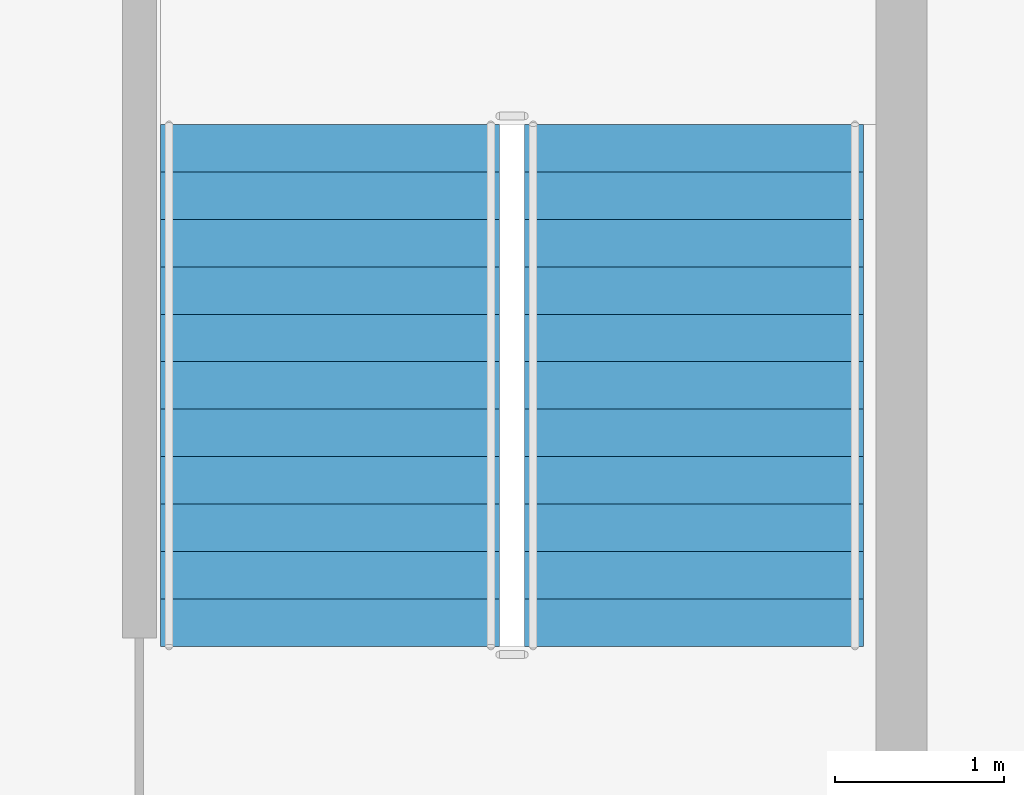
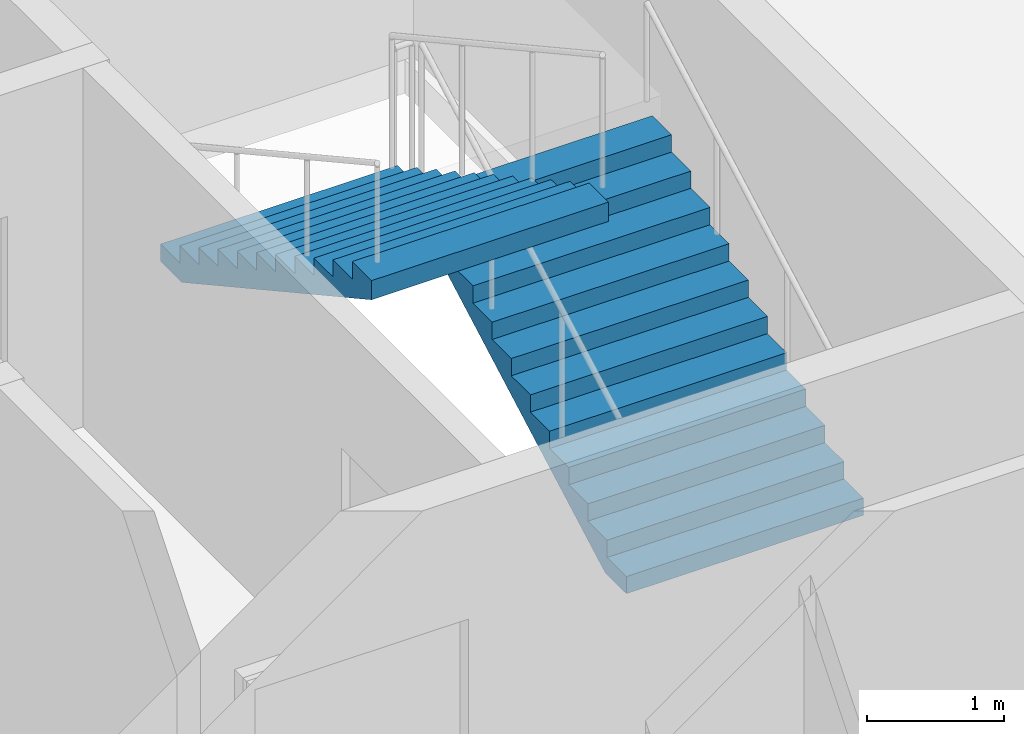
# One storey, part 8 of 11: 2 stair flights, 1 element without a shape of its own.
"""IFC4 building model written with IfcOpenShell, lengths in metres."""

from ifc_helpers import new_model, si_unit, direction, frame, origin, place, context, subcontext, project, spatial, polygons, material, type_object, element, aggregate, save


model = new_model("IFC4")

# Units and contexts
model_context = context("Model", 3, precision=1e-05, world=origin(), true_north=direction((0.0, 1.0)))
body_context = subcontext(model_context, "Body", "Model", "MODEL_VIEW")
ifc_project = project(units=[si_unit("LENGTHUNIT", "METRE"), si_unit("AREAUNIT", "SQUARE_METRE"), si_unit("VOLUMEUNIT", "CUBIC_METRE"), si_unit("PLANEANGLEUNIT", "RADIAN"), si_unit("MASSUNIT", "GRAM", prefix="KILO")], contexts=[model_context])

# Site, building, storey
site_placement = place(None, origin())
site = spatial("IfcSite", under=ifc_project, at=site_placement, CompositionType="ELEMENT")
building_placement = place(site_placement, origin())
building = spatial("IfcBuilding", under=site, at=building_placement, Name="Caravel Reach Hotel and Residences", CompositionType="ELEMENT")
storey_placement = place(building_placement, frame((0.0, 0.0, 301.89990234375)))
storey = spatial("IfcBuildingStorey", under=building, at=storey_placement, Name="L77", CompositionType="ELEMENT", Elevation=301.89990234375)

# Stair, stair flights
ifc_material_1 = material(Name="Concrete C40", Category="concrete")
stair_type = type_object("IfcStairType", Name="Core stair", PredefinedType="HALF_TURN_STAIR", material=ifc_material_1)
stair_placement = place(storey_placement, origin())
stair = element("IfcStair", 1, at=stair_placement, inside=storey, type_object=stair_type, Name="L77 Exit stair B", PredefinedType="HALF_TURN_STAIR")
ifc_material_2 = material(Name="Concrete C40", Category="concrete")
stair_flight_type = type_object("IfcStairFlightType", Name="Core stair flight", PredefinedType="STRAIGHT", material=ifc_material_2)
stair_flight_1_placement = place(storey_placement, frame((43.77490234375, 24.64990234375, 0.0), z_axis=(0.0, 0.0, 1.0), x_axis=(0.0, 1.0, 0.0)))
stair_flight_1 = element("IfcStairFlight", 2, at=stair_flight_1_placement, type_object=stair_flight_type, Name="ST-B flight 1", NumberOfRisers=12, NumberOfTreads=11, PredefinedType="STRAIGHT", RiserHeight=0.154166667, TreadLength=0.28, context=body_context, shape_type="Tessellation", body=[
    polygons([(0.3107950034306102, 1.0, 0.0), (0.3107950034306102, 0.6666666666666667, 0.0), (0.3107950034306102, 0.33333333333333337, 0.0), (0.3107950034306102, 0.0, 0.0), (0.3107950034306102, -0.33333333333333326, 0.0), (0.3107950034306102, -0.6666666666666667, 0.0), (0.3107950034306102, -1.0, 0.0), (3.081, 1.0, 1.524711087717319), (3.081, 0.6666666666666667, 1.524711087717319), (3.081, 0.33333333333333337, 1.524711087717319), (3.081, 0.0, 1.524711087717319), (3.081, -0.33333333333333326, 1.524711087717319), (3.081, -0.6666666666666667, 1.524711087717319), (3.081, -1.0, 1.524711087717319), (3.081, 1.0, 1.695833337), (3.081, 0.6666666666666667, 1.695833337), (3.081, 0.33333333333333337, 1.695833337), (3.081, 0.0, 1.695833337), (3.081, -0.33333333333333326, 1.695833337), (3.081, -0.6666666666666667, 1.695833337), (3.081, -1.0, 1.695833337), (2.8000000000000003, 1.0, 1.695833337), (2.8000000000000003, 0.6666666666666667, 1.695833337), (2.8000000000000003, 0.33333333333333337, 1.695833337), (2.8000000000000003, 0.0, 1.695833337), (2.8000000000000003, -0.33333333333333326, 1.695833337), (2.8000000000000003, -0.6666666666666667, 1.695833337), (2.8000000000000003, -1.0, 1.695833337), (2.8000000000000003, 1.0, 1.5416666700000001), (2.8000000000000003, 0.6666666666666667, 1.5416666700000001), (2.8000000000000003, 0.33333333333333337, 1.5416666700000001), (2.8000000000000003, 0.0, 1.5416666700000001), (2.8000000000000003, -0.33333333333333326, 1.5416666700000001), (2.8000000000000003, -0.6666666666666667, 1.5416666700000001), (2.8000000000000003, -1.0, 1.5416666700000001), (2.5200000000000005, 1.0, 1.5416666700000001), (2.5200000000000005, 0.6666666666666667, 1.5416666700000001), (2.5200000000000005, 0.33333333333333337, 1.5416666700000001), (2.5200000000000005, 0.0, 1.5416666700000001), (2.5200000000000005, -0.33333333333333326, 1.5416666700000001), (2.5200000000000005, -0.6666666666666667, 1.5416666700000001), (2.5200000000000005, -1.0, 1.5416666700000001), (2.5200000000000005, 1.0, 1.387500003), (2.5200000000000005, 0.6666666666666667, 1.387500003), (2.5200000000000005, 0.33333333333333337, 1.387500003), (2.5200000000000005, 0.0, 1.387500003), (2.5200000000000005, -0.33333333333333326, 1.387500003), (2.5200000000000005, -0.6666666666666667, 1.387500003), (2.5200000000000005, -1.0, 1.387500003), (2.24, 1.0, 1.387500003), (2.24, 0.6666666666666667, 1.387500003), (2.24, 0.33333333333333337, 1.387500003), (2.24, 0.0, 1.387500003), (2.24, -0.33333333333333326, 1.387500003), (2.24, -0.6666666666666667, 1.387500003), (2.24, -1.0, 1.387500003), (2.24, 1.0, 1.233333336), (2.24, 0.6666666666666667, 1.233333336), (2.24, 0.33333333333333337, 1.233333336), (2.24, 0.0, 1.233333336), (2.24, -0.33333333333333326, 1.233333336), (2.24, -0.6666666666666667, 1.233333336), (2.24, -1.0, 1.233333336), (1.9600000000000002, 1.0, 1.233333336), (1.9600000000000002, 0.6666666666666667, 1.233333336), (1.9600000000000002, 0.33333333333333337, 1.233333336), (1.9600000000000002, 0.0, 1.233333336), (1.9600000000000002, -0.33333333333333326, 1.233333336), (1.9600000000000002, -0.6666666666666667, 1.233333336), (1.9600000000000002, -1.0, 1.233333336), (1.9600000000000002, 1.0, 1.0791666690000001), (1.9600000000000002, 0.6666666666666667, 1.0791666690000001), (1.9600000000000002, 0.33333333333333337, 1.0791666690000001), (1.9600000000000002, 0.0, 1.0791666690000001), (1.9600000000000002, -0.33333333333333326, 1.0791666690000001), (1.9600000000000002, -0.6666666666666667, 1.0791666690000001), (1.9600000000000002, -1.0, 1.0791666690000001), (1.6800000000000002, 1.0, 1.0791666690000001), (1.6800000000000002, 0.6666666666666667, 1.0791666690000001), (1.6800000000000002, 0.33333333333333337, 1.0791666690000001), (1.6800000000000002, 0.0, 1.0791666690000001), (1.6800000000000002, -0.33333333333333326, 1.0791666690000001), (1.6800000000000002, -0.6666666666666667, 1.0791666690000001), (1.6800000000000002, -1.0, 1.0791666690000001), (1.6800000000000002, 1.0, 0.925000002), (1.6800000000000002, 0.6666666666666667, 0.925000002), (1.6800000000000002, 0.33333333333333337, 0.925000002), (1.6800000000000002, 0.0, 0.925000002), (1.6800000000000002, -0.33333333333333326, 0.925000002), (1.6800000000000002, -0.6666666666666667, 0.925000002), (1.6800000000000002, -1.0, 0.925000002), (1.4000000000000001, 1.0, 0.925000002), (1.4000000000000001, 0.6666666666666667, 0.925000002), (1.4000000000000001, 0.33333333333333337, 0.925000002), (1.4000000000000001, 0.0, 0.925000002), (1.4000000000000001, -0.33333333333333326, 0.925000002), (1.4000000000000001, -0.6666666666666667, 0.925000002), (1.4000000000000001, -1.0, 0.925000002), (1.4000000000000001, 1.0, 0.7708333350000001), (1.4000000000000001, 0.6666666666666667, 0.7708333350000001), (1.4000000000000001, 0.33333333333333337, 0.7708333350000001), (1.4000000000000001, 0.0, 0.7708333350000001), (1.4000000000000001, -0.33333333333333326, 0.7708333350000001), (1.4000000000000001, -0.6666666666666667, 0.7708333350000001), (1.4000000000000001, -1.0, 0.7708333350000001), (1.12, 1.0, 0.7708333350000001), (1.12, 0.6666666666666667, 0.7708333350000001), (1.12, 0.33333333333333337, 0.7708333350000001), (1.12, 0.0, 0.7708333350000001), (1.12, -0.33333333333333326, 0.7708333350000001), (1.12, -0.6666666666666667, 0.7708333350000001), (1.12, -1.0, 0.7708333350000001), (1.12, 1.0, 0.616666668), (1.12, 0.6666666666666667, 0.616666668), (1.12, 0.33333333333333337, 0.616666668), (1.12, 0.0, 0.616666668), (1.12, -0.33333333333333326, 0.616666668), (1.12, -0.6666666666666667, 0.616666668), (1.12, -1.0, 0.616666668), (0.8400000000000001, 1.0, 0.616666668), (0.8400000000000001, 0.6666666666666667, 0.616666668), (0.8400000000000001, 0.33333333333333337, 0.616666668), (0.8400000000000001, 0.0, 0.616666668), (0.8400000000000001, -0.33333333333333326, 0.616666668), (0.8400000000000001, -0.6666666666666667, 0.616666668), (0.8400000000000001, -1.0, 0.616666668), (0.8400000000000001, 1.0, 0.462500001), (0.8400000000000001, 0.6666666666666667, 0.462500001), (0.8400000000000001, 0.33333333333333337, 0.462500001), (0.8400000000000001, 0.0, 0.462500001), (0.8400000000000001, -0.33333333333333326, 0.462500001), (0.8400000000000001, -0.6666666666666667, 0.462500001), (0.8400000000000001, -1.0, 0.462500001), (0.56, 1.0, 0.462500001), (0.56, 0.6666666666666667, 0.462500001), (0.56, 0.33333333333333337, 0.462500001), (0.56, 0.0, 0.462500001), (0.56, -0.33333333333333326, 0.462500001), (0.56, -0.6666666666666667, 0.462500001), (0.56, -1.0, 0.462500001), (0.56, 1.0, 0.308333334), (0.56, 0.6666666666666667, 0.308333334), (0.56, 0.33333333333333337, 0.308333334), (0.56, 0.0, 0.308333334), (0.56, -0.33333333333333326, 0.308333334), (0.56, -0.6666666666666667, 0.308333334), (0.56, -1.0, 0.308333334), (0.28, 1.0, 0.308333334), (0.28, 0.6666666666666667, 0.308333334), (0.28, 0.33333333333333337, 0.308333334), (0.28, 0.0, 0.308333334), (0.28, -0.33333333333333326, 0.308333334), (0.28, -0.6666666666666667, 0.308333334), (0.28, -1.0, 0.308333334), (0.28, 1.0, 0.154166667), (0.28, 0.6666666666666667, 0.154166667), (0.28, 0.33333333333333337, 0.154166667), (0.28, 0.0, 0.154166667), (0.28, -0.33333333333333326, 0.154166667), (0.28, -0.6666666666666667, 0.154166667), (0.28, -1.0, 0.154166667), (-0.001, 1.0, 0.154166667), (-0.001, 0.6666666666666667, 0.154166667), (-0.001, 0.33333333333333337, 0.154166667), (-0.001, 0.0, 0.154166667), (-0.001, -0.33333333333333326, 0.154166667), (-0.001, -0.6666666666666667, 0.154166667), (-0.001, -1.0, 0.154166667), (-0.001, 1.0, 0.0), (-0.001, 0.6666666666666667, 0.0), (-0.001, 0.33333333333333337, 0.0), (-0.001, 0.0, 0.0), (-0.001, -0.33333333333333326, 0.0), (-0.001, -0.6666666666666667, 0.0), (-0.001, -1.0, 0.0)], [[[169, 162, 155, 148, 141, 134, 127, 120, 113, 106, 99, 92, 85, 78, 71, 64, 57, 50, 43, 36, 29, 22, 15, 8, 1]], [[7, 14, 21, 28, 35, 42, 49, 56, 63, 70, 77, 84, 91, 98, 105, 112, 119, 126, 133, 140, 147, 154, 161, 168, 175]], [[1, 8, 9, 2]], [[2, 9, 10, 3]], [[3, 10, 11, 4]], [[4, 11, 12, 5]], [[5, 12, 13, 6]], [[6, 13, 14, 7]], [[8, 15, 16, 9]], [[9, 16, 17, 10]], [[10, 17, 18, 11]], [[11, 18, 19, 12]], [[12, 19, 20, 13]], [[13, 20, 21, 14]], [[15, 22, 23, 16]], [[16, 23, 24, 17]], [[17, 24, 25, 18]], [[18, 25, 26, 19]], [[19, 26, 27, 20]], [[20, 27, 28, 21]], [[22, 29, 30, 23]], [[23, 30, 31, 24]], [[24, 31, 32, 25]], [[25, 32, 33, 26]], [[26, 33, 34, 27]], [[27, 34, 35, 28]], [[29, 36, 37, 30]], [[30, 37, 38, 31]], [[31, 38, 39, 32]], [[32, 39, 40, 33]], [[33, 40, 41, 34]], [[34, 41, 42, 35]], [[36, 43, 44, 37]], [[37, 44, 45, 38]], [[38, 45, 46, 39]], [[39, 46, 47, 40]], [[40, 47, 48, 41]], [[41, 48, 49, 42]], [[43, 50, 51, 44]], [[44, 51, 52, 45]], [[45, 52, 53, 46]], [[46, 53, 54, 47]], [[47, 54, 55, 48]], [[48, 55, 56, 49]], [[50, 57, 58, 51]], [[51, 58, 59, 52]], [[52, 59, 60, 53]], [[53, 60, 61, 54]], [[54, 61, 62, 55]], [[55, 62, 63, 56]], [[57, 64, 65, 58]], [[58, 65, 66, 59]], [[59, 66, 67, 60]], [[60, 67, 68, 61]], [[61, 68, 69, 62]], [[62, 69, 70, 63]], [[64, 71, 72, 65]], [[65, 72, 73, 66]], [[66, 73, 74, 67]], [[67, 74, 75, 68]], [[68, 75, 76, 69]], [[69, 76, 77, 70]], [[71, 78, 79, 72]], [[72, 79, 80, 73]], [[73, 80, 81, 74]], [[74, 81, 82, 75]], [[75, 82, 83, 76]], [[76, 83, 84, 77]], [[78, 85, 86, 79]], [[79, 86, 87, 80]], [[80, 87, 88, 81]], [[81, 88, 89, 82]], [[82, 89, 90, 83]], [[83, 90, 91, 84]], [[85, 92, 93, 86]], [[86, 93, 94, 87]], [[87, 94, 95, 88]], [[88, 95, 96, 89]], [[89, 96, 97, 90]], [[90, 97, 98, 91]], [[92, 99, 100, 93]], [[93, 100, 101, 94]], [[94, 101, 102, 95]], [[95, 102, 103, 96]], [[96, 103, 104, 97]], [[97, 104, 105, 98]], [[99, 106, 107, 100]], [[100, 107, 108, 101]], [[101, 108, 109, 102]], [[102, 109, 110, 103]], [[103, 110, 111, 104]], [[104, 111, 112, 105]], [[106, 113, 114, 107]], [[107, 114, 115, 108]], [[108, 115, 116, 109]], [[109, 116, 117, 110]], [[110, 117, 118, 111]], [[111, 118, 119, 112]], [[113, 120, 121, 114]], [[114, 121, 122, 115]], [[115, 122, 123, 116]], [[116, 123, 124, 117]], [[117, 124, 125, 118]], [[118, 125, 126, 119]], [[120, 127, 128, 121]], [[121, 128, 129, 122]], [[122, 129, 130, 123]], [[123, 130, 131, 124]], [[124, 131, 132, 125]], [[125, 132, 133, 126]], [[127, 134, 135, 128]], [[128, 135, 136, 129]], [[129, 136, 137, 130]], [[130, 137, 138, 131]], [[131, 138, 139, 132]], [[132, 139, 140, 133]], [[134, 141, 142, 135]], [[135, 142, 143, 136]], [[136, 143, 144, 137]], [[137, 144, 145, 138]], [[138, 145, 146, 139]], [[139, 146, 147, 140]], [[141, 148, 149, 142]], [[142, 149, 150, 143]], [[143, 150, 151, 144]], [[144, 151, 152, 145]], [[145, 152, 153, 146]], [[146, 153, 154, 147]], [[148, 155, 156, 149]], [[149, 156, 157, 150]], [[150, 157, 158, 151]], [[151, 158, 159, 152]], [[152, 159, 160, 153]], [[153, 160, 161, 154]], [[155, 162, 163, 156]], [[156, 163, 164, 157]], [[157, 164, 165, 158]], [[158, 165, 166, 159]], [[159, 166, 167, 160]], [[160, 167, 168, 161]], [[162, 169, 170, 163]], [[163, 170, 171, 164]], [[164, 171, 172, 165]], [[165, 172, 173, 166]], [[166, 173, 174, 167]], [[167, 174, 175, 168]], [[169, 1, 2, 170]], [[170, 2, 3, 171]], [[171, 3, 4, 172]], [[172, 4, 5, 173]], [[173, 5, 6, 174]], [[174, 6, 7, 175]]], closed=True),
])
stair_flight_2_placement = place(storey_placement, frame((41.625, 27.72998046875, 1.85009765625), z_axis=(0.0, 0.0, 1.0), x_axis=(0.0, -1.0, 0.0)))
stair_flight_2 = element("IfcStairFlight", 3, at=stair_flight_2_placement, type_object=stair_flight_type, Name="ST-B flight 2", NumberOfRisers=12, NumberOfTreads=11, PredefinedType="STRAIGHT", RiserHeight=0.154166667, TreadLength=0.28, context=body_context, shape_type="Tessellation", body=[
    polygons([(0.3107950034306102, 1.0, 0.0), (0.3107950034306102, 0.6666666666666667, 0.0), (0.3107950034306102, 0.33333333333333337, 0.0), (0.3107950034306102, 0.0, 0.0), (0.3107950034306102, -0.33333333333333326, 0.0), (0.3107950034306102, -0.6666666666666667, 0.0), (0.3107950034306102, -1.0, 0.0), (3.081, 1.0, 1.524711087717319), (3.081, 0.6666666666666667, 1.524711087717319), (3.081, 0.33333333333333337, 1.524711087717319), (3.081, 0.0, 1.524711087717319), (3.081, -0.33333333333333326, 1.524711087717319), (3.081, -0.6666666666666667, 1.524711087717319), (3.081, -1.0, 1.524711087717319), (3.081, 1.0, 1.695833337), (3.081, 0.6666666666666667, 1.695833337), (3.081, 0.33333333333333337, 1.695833337), (3.081, 0.0, 1.695833337), (3.081, -0.33333333333333326, 1.695833337), (3.081, -0.6666666666666667, 1.695833337), (3.081, -1.0, 1.695833337), (2.8000000000000003, 1.0, 1.695833337), (2.8000000000000003, 0.6666666666666667, 1.695833337), (2.8000000000000003, 0.33333333333333337, 1.695833337), (2.8000000000000003, 0.0, 1.695833337), (2.8000000000000003, -0.33333333333333326, 1.695833337), (2.8000000000000003, -0.6666666666666667, 1.695833337), (2.8000000000000003, -1.0, 1.695833337), (2.8000000000000003, 1.0, 1.5416666700000001), (2.8000000000000003, 0.6666666666666667, 1.5416666700000001), (2.8000000000000003, 0.33333333333333337, 1.5416666700000001), (2.8000000000000003, 0.0, 1.5416666700000001), (2.8000000000000003, -0.33333333333333326, 1.5416666700000001), (2.8000000000000003, -0.6666666666666667, 1.5416666700000001), (2.8000000000000003, -1.0, 1.5416666700000001), (2.5200000000000005, 1.0, 1.5416666700000001), (2.5200000000000005, 0.6666666666666667, 1.5416666700000001), (2.5200000000000005, 0.33333333333333337, 1.5416666700000001), (2.5200000000000005, 0.0, 1.5416666700000001), (2.5200000000000005, -0.33333333333333326, 1.5416666700000001), (2.5200000000000005, -0.6666666666666667, 1.5416666700000001), (2.5200000000000005, -1.0, 1.5416666700000001), (2.5200000000000005, 1.0, 1.387500003), (2.5200000000000005, 0.6666666666666667, 1.387500003), (2.5200000000000005, 0.33333333333333337, 1.387500003), (2.5200000000000005, 0.0, 1.387500003), (2.5200000000000005, -0.33333333333333326, 1.387500003), (2.5200000000000005, -0.6666666666666667, 1.387500003), (2.5200000000000005, -1.0, 1.387500003), (2.24, 1.0, 1.387500003), (2.24, 0.6666666666666667, 1.387500003), (2.24, 0.33333333333333337, 1.387500003), (2.24, 0.0, 1.387500003), (2.24, -0.33333333333333326, 1.387500003), (2.24, -0.6666666666666667, 1.387500003), (2.24, -1.0, 1.387500003), (2.24, 1.0, 1.233333336), (2.24, 0.6666666666666667, 1.233333336), (2.24, 0.33333333333333337, 1.233333336), (2.24, 0.0, 1.233333336), (2.24, -0.33333333333333326, 1.233333336), (2.24, -0.6666666666666667, 1.233333336), (2.24, -1.0, 1.233333336), (1.9600000000000002, 1.0, 1.233333336), (1.9600000000000002, 0.6666666666666667, 1.233333336), (1.9600000000000002, 0.33333333333333337, 1.233333336), (1.9600000000000002, 0.0, 1.233333336), (1.9600000000000002, -0.33333333333333326, 1.233333336), (1.9600000000000002, -0.6666666666666667, 1.233333336), (1.9600000000000002, -1.0, 1.233333336), (1.9600000000000002, 1.0, 1.0791666690000001), (1.9600000000000002, 0.6666666666666667, 1.0791666690000001), (1.9600000000000002, 0.33333333333333337, 1.0791666690000001), (1.9600000000000002, 0.0, 1.0791666690000001), (1.9600000000000002, -0.33333333333333326, 1.0791666690000001), (1.9600000000000002, -0.6666666666666667, 1.0791666690000001), (1.9600000000000002, -1.0, 1.0791666690000001), (1.6800000000000002, 1.0, 1.0791666690000001), (1.6800000000000002, 0.6666666666666667, 1.0791666690000001), (1.6800000000000002, 0.33333333333333337, 1.0791666690000001), (1.6800000000000002, 0.0, 1.0791666690000001), (1.6800000000000002, -0.33333333333333326, 1.0791666690000001), (1.6800000000000002, -0.6666666666666667, 1.0791666690000001), (1.6800000000000002, -1.0, 1.0791666690000001), (1.6800000000000002, 1.0, 0.925000002), (1.6800000000000002, 0.6666666666666667, 0.925000002), (1.6800000000000002, 0.33333333333333337, 0.925000002), (1.6800000000000002, 0.0, 0.925000002), (1.6800000000000002, -0.33333333333333326, 0.925000002), (1.6800000000000002, -0.6666666666666667, 0.925000002), (1.6800000000000002, -1.0, 0.925000002), (1.4000000000000001, 1.0, 0.925000002), (1.4000000000000001, 0.6666666666666667, 0.925000002), (1.4000000000000001, 0.33333333333333337, 0.925000002), (1.4000000000000001, 0.0, 0.925000002), (1.4000000000000001, -0.33333333333333326, 0.925000002), (1.4000000000000001, -0.6666666666666667, 0.925000002), (1.4000000000000001, -1.0, 0.925000002), (1.4000000000000001, 1.0, 0.7708333350000001), (1.4000000000000001, 0.6666666666666667, 0.7708333350000001), (1.4000000000000001, 0.33333333333333337, 0.7708333350000001), (1.4000000000000001, 0.0, 0.7708333350000001), (1.4000000000000001, -0.33333333333333326, 0.7708333350000001), (1.4000000000000001, -0.6666666666666667, 0.7708333350000001), (1.4000000000000001, -1.0, 0.7708333350000001), (1.12, 1.0, 0.7708333350000001), (1.12, 0.6666666666666667, 0.7708333350000001), (1.12, 0.33333333333333337, 0.7708333350000001), (1.12, 0.0, 0.7708333350000001), (1.12, -0.33333333333333326, 0.7708333350000001), (1.12, -0.6666666666666667, 0.7708333350000001), (1.12, -1.0, 0.7708333350000001), (1.12, 1.0, 0.616666668), (1.12, 0.6666666666666667, 0.616666668), (1.12, 0.33333333333333337, 0.616666668), (1.12, 0.0, 0.616666668), (1.12, -0.33333333333333326, 0.616666668), (1.12, -0.6666666666666667, 0.616666668), (1.12, -1.0, 0.616666668), (0.8400000000000001, 1.0, 0.616666668), (0.8400000000000001, 0.6666666666666667, 0.616666668), (0.8400000000000001, 0.33333333333333337, 0.616666668), (0.8400000000000001, 0.0, 0.616666668), (0.8400000000000001, -0.33333333333333326, 0.616666668), (0.8400000000000001, -0.6666666666666667, 0.616666668), (0.8400000000000001, -1.0, 0.616666668), (0.8400000000000001, 1.0, 0.462500001), (0.8400000000000001, 0.6666666666666667, 0.462500001), (0.8400000000000001, 0.33333333333333337, 0.462500001), (0.8400000000000001, 0.0, 0.462500001), (0.8400000000000001, -0.33333333333333326, 0.462500001), (0.8400000000000001, -0.6666666666666667, 0.462500001), (0.8400000000000001, -1.0, 0.462500001), (0.56, 1.0, 0.462500001), (0.56, 0.6666666666666667, 0.462500001), (0.56, 0.33333333333333337, 0.462500001), (0.56, 0.0, 0.462500001), (0.56, -0.33333333333333326, 0.462500001), (0.56, -0.6666666666666667, 0.462500001), (0.56, -1.0, 0.462500001), (0.56, 1.0, 0.308333334), (0.56, 0.6666666666666667, 0.308333334), (0.56, 0.33333333333333337, 0.308333334), (0.56, 0.0, 0.308333334), (0.56, -0.33333333333333326, 0.308333334), (0.56, -0.6666666666666667, 0.308333334), (0.56, -1.0, 0.308333334), (0.28, 1.0, 0.308333334), (0.28, 0.6666666666666667, 0.308333334), (0.28, 0.33333333333333337, 0.308333334), (0.28, 0.0, 0.308333334), (0.28, -0.33333333333333326, 0.308333334), (0.28, -0.6666666666666667, 0.308333334), (0.28, -1.0, 0.308333334), (0.28, 1.0, 0.154166667), (0.28, 0.6666666666666667, 0.154166667), (0.28, 0.33333333333333337, 0.154166667), (0.28, 0.0, 0.154166667), (0.28, -0.33333333333333326, 0.154166667), (0.28, -0.6666666666666667, 0.154166667), (0.28, -1.0, 0.154166667), (-0.001, 1.0, 0.154166667), (-0.001, 0.6666666666666667, 0.154166667), (-0.001, 0.33333333333333337, 0.154166667), (-0.001, 0.0, 0.154166667), (-0.001, -0.33333333333333326, 0.154166667), (-0.001, -0.6666666666666667, 0.154166667), (-0.001, -1.0, 0.154166667), (-0.001, 1.0, 0.0), (-0.001, 0.6666666666666667, 0.0), (-0.001, 0.33333333333333337, 0.0), (-0.001, 0.0, 0.0), (-0.001, -0.33333333333333326, 0.0), (-0.001, -0.6666666666666667, 0.0), (-0.001, -1.0, 0.0)], [[[169, 162, 155, 148, 141, 134, 127, 120, 113, 106, 99, 92, 85, 78, 71, 64, 57, 50, 43, 36, 29, 22, 15, 8, 1]], [[7, 14, 21, 28, 35, 42, 49, 56, 63, 70, 77, 84, 91, 98, 105, 112, 119, 126, 133, 140, 147, 154, 161, 168, 175]], [[1, 8, 9, 2]], [[2, 9, 10, 3]], [[3, 10, 11, 4]], [[4, 11, 12, 5]], [[5, 12, 13, 6]], [[6, 13, 14, 7]], [[8, 15, 16, 9]], [[9, 16, 17, 10]], [[10, 17, 18, 11]], [[11, 18, 19, 12]], [[12, 19, 20, 13]], [[13, 20, 21, 14]], [[15, 22, 23, 16]], [[16, 23, 24, 17]], [[17, 24, 25, 18]], [[18, 25, 26, 19]], [[19, 26, 27, 20]], [[20, 27, 28, 21]], [[22, 29, 30, 23]], [[23, 30, 31, 24]], [[24, 31, 32, 25]], [[25, 32, 33, 26]], [[26, 33, 34, 27]], [[27, 34, 35, 28]], [[29, 36, 37, 30]], [[30, 37, 38, 31]], [[31, 38, 39, 32]], [[32, 39, 40, 33]], [[33, 40, 41, 34]], [[34, 41, 42, 35]], [[36, 43, 44, 37]], [[37, 44, 45, 38]], [[38, 45, 46, 39]], [[39, 46, 47, 40]], [[40, 47, 48, 41]], [[41, 48, 49, 42]], [[43, 50, 51, 44]], [[44, 51, 52, 45]], [[45, 52, 53, 46]], [[46, 53, 54, 47]], [[47, 54, 55, 48]], [[48, 55, 56, 49]], [[50, 57, 58, 51]], [[51, 58, 59, 52]], [[52, 59, 60, 53]], [[53, 60, 61, 54]], [[54, 61, 62, 55]], [[55, 62, 63, 56]], [[57, 64, 65, 58]], [[58, 65, 66, 59]], [[59, 66, 67, 60]], [[60, 67, 68, 61]], [[61, 68, 69, 62]], [[62, 69, 70, 63]], [[64, 71, 72, 65]], [[65, 72, 73, 66]], [[66, 73, 74, 67]], [[67, 74, 75, 68]], [[68, 75, 76, 69]], [[69, 76, 77, 70]], [[71, 78, 79, 72]], [[72, 79, 80, 73]], [[73, 80, 81, 74]], [[74, 81, 82, 75]], [[75, 82, 83, 76]], [[76, 83, 84, 77]], [[78, 85, 86, 79]], [[79, 86, 87, 80]], [[80, 87, 88, 81]], [[81, 88, 89, 82]], [[82, 89, 90, 83]], [[83, 90, 91, 84]], [[85, 92, 93, 86]], [[86, 93, 94, 87]], [[87, 94, 95, 88]], [[88, 95, 96, 89]], [[89, 96, 97, 90]], [[90, 97, 98, 91]], [[92, 99, 100, 93]], [[93, 100, 101, 94]], [[94, 101, 102, 95]], [[95, 102, 103, 96]], [[96, 103, 104, 97]], [[97, 104, 105, 98]], [[99, 106, 107, 100]], [[100, 107, 108, 101]], [[101, 108, 109, 102]], [[102, 109, 110, 103]], [[103, 110, 111, 104]], [[104, 111, 112, 105]], [[106, 113, 114, 107]], [[107, 114, 115, 108]], [[108, 115, 116, 109]], [[109, 116, 117, 110]], [[110, 117, 118, 111]], [[111, 118, 119, 112]], [[113, 120, 121, 114]], [[114, 121, 122, 115]], [[115, 122, 123, 116]], [[116, 123, 124, 117]], [[117, 124, 125, 118]], [[118, 125, 126, 119]], [[120, 127, 128, 121]], [[121, 128, 129, 122]], [[122, 129, 130, 123]], [[123, 130, 131, 124]], [[124, 131, 132, 125]], [[125, 132, 133, 126]], [[127, 134, 135, 128]], [[128, 135, 136, 129]], [[129, 136, 137, 130]], [[130, 137, 138, 131]], [[131, 138, 139, 132]], [[132, 139, 140, 133]], [[134, 141, 142, 135]], [[135, 142, 143, 136]], [[136, 143, 144, 137]], [[137, 144, 145, 138]], [[138, 145, 146, 139]], [[139, 146, 147, 140]], [[141, 148, 149, 142]], [[142, 149, 150, 143]], [[143, 150, 151, 144]], [[144, 151, 152, 145]], [[145, 152, 153, 146]], [[146, 153, 154, 147]], [[148, 155, 156, 149]], [[149, 156, 157, 150]], [[150, 157, 158, 151]], [[151, 158, 159, 152]], [[152, 159, 160, 153]], [[153, 160, 161, 154]], [[155, 162, 163, 156]], [[156, 163, 164, 157]], [[157, 164, 165, 158]], [[158, 165, 166, 159]], [[159, 166, 167, 160]], [[160, 167, 168, 161]], [[162, 169, 170, 163]], [[163, 170, 171, 164]], [[164, 171, 172, 165]], [[165, 172, 173, 166]], [[166, 173, 174, 167]], [[167, 174, 175, 168]], [[169, 1, 2, 170]], [[170, 2, 3, 171]], [[171, 3, 4, 172]], [[172, 4, 5, 173]], [[173, 5, 6, 174]], [[174, 6, 7, 175]]], closed=True),
])
aggregate(stair, [stair_flight_1, stair_flight_2])

save(model, "model.ifc")
